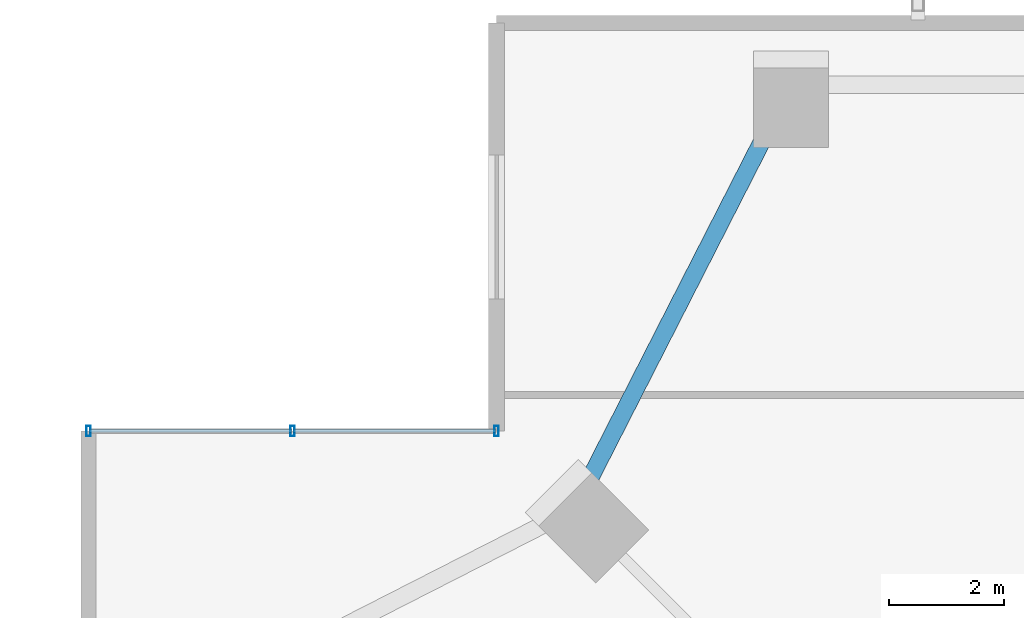
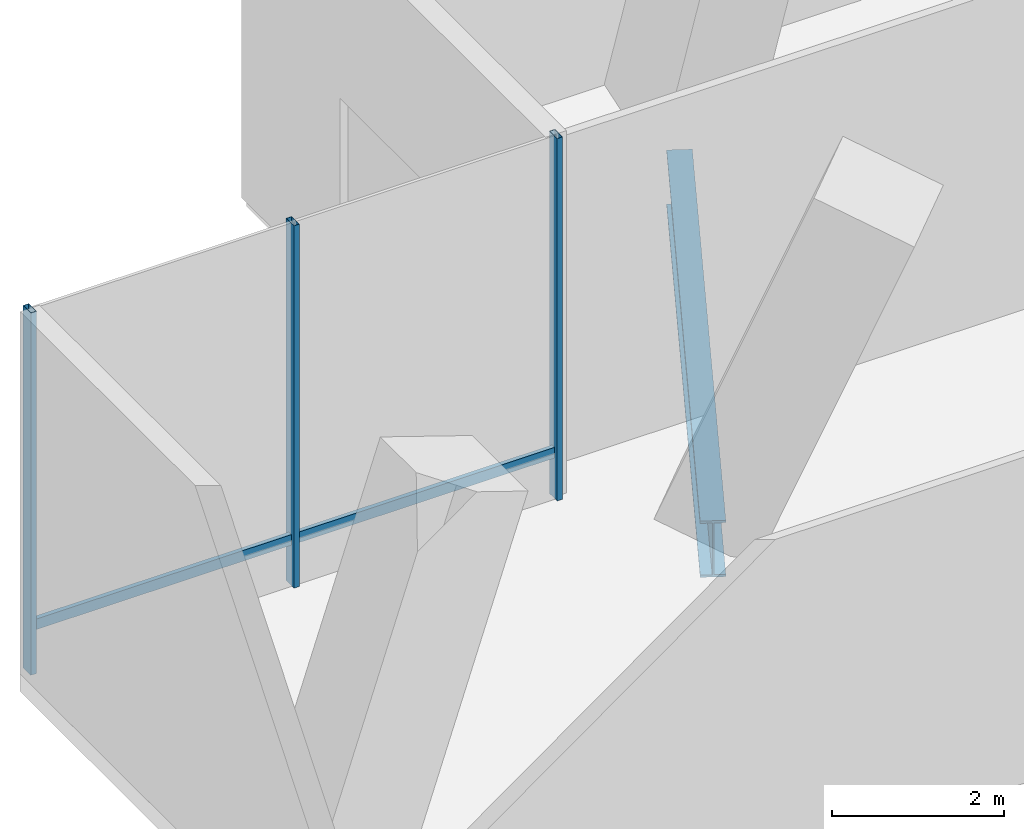
# One storey, part 16 of 28: 5 members, 1 beam, 1 element without a shape of its own.
"""IFC4 building model written with IfcOpenShell, lengths in metres."""

import ifcopenshell
import ifcopenshell.guid

model = None  # the IFC model being written
_history = None  # IfcOwnerHistory: only IFC2X3 demands one
_inside = {}  # id of a spatial element -> (the spatial element, [elements in it])
_under = {}  # id of a project, library or spatial element -> (it, [spatial elements below it])
_declared = {}  # id of a project -> (the project, [libraries it declares])
_typed = {}  # id of a type object -> (the type object, [elements of that type])
_made_of = {}  # id of a material, layer set ... -> (it, [elements and type objects made of it])


def new_model(schema):
    """Start an empty IFC model of exactly this schema.

    Asked for "IFC4X3", IfcOpenShell would pick the latest addendum, in which some entities
    have other attributes; the version numbers below select the first issue.
    IFC2X3 requires an IfcOwnerHistory on every rooted entity: one is made here for all.
    """
    global model, _history
    if schema == "IFC4X3":
        model = ifcopenshell.file(schema_version=(4, 3, 0, 0))
    else:
        model = ifcopenshell.file(schema=schema)
    _inside.clear()
    _under.clear()
    _declared.clear()
    _typed.clear()
    _made_of.clear()
    _history = None
    if model.schema == "IFC2X3":
        org = make("IfcOrganization", Name="unknown")
        user = make(
            "IfcPersonAndOrganization",
            ThePerson=make("IfcPerson", FamilyName="unknown"),
            TheOrganization=org,
        )
        app = make(
            "IfcApplication",
            ApplicationDeveloper=org,
            Version="unknown",
            ApplicationFullName="unknown",
            ApplicationIdentifier="unknown",
        )
        _history = make(
            "IfcOwnerHistory",
            OwningUser=user,
            OwningApplication=app,
            ChangeAction="ADDED",
            CreationDate=0,
        )
    return model


def make(cls, **values):
    """One entity of the class cls with the attributes given. An attribute that is None is left unset."""
    return model.create_entity(
        cls, **{name: value for name, value in values.items() if value is not None}
    )


def rooted(cls, **values):
    """An entity with a GlobalId (a new one), such as an element, a storey or a relation."""
    return make(cls, GlobalId=ifcopenshell.guid.new(), OwnerHistory=_history, **values)


def si_unit(unit_type, name, prefix=None):
    """IfcSIUnit, for example si_unit("LENGTHUNIT", "METRE", prefix="MILLI")."""
    return make("IfcSIUnit", UnitType=unit_type, Prefix=prefix, Name=name)


def assignment(units):
    """IfcUnitAssignment: the units of a project."""
    return None if units is None else make("IfcUnitAssignment", Units=units)


def point(xyz):
    """IfcCartesianPoint."""
    return None if xyz is None else make("IfcCartesianPoint", Coordinates=xyz)


def direction(xyz):
    """IfcDirection."""
    return None if xyz is None else make("IfcDirection", DirectionRatios=xyz)


def frame(location, z_axis=None, x_axis=None):
    """IfcAxis2Placement3D, a coordinate frame: its origin and axes. An axis left out is left unset."""
    return make(
        "IfcAxis2Placement3D",
        Location=point(location),
        Axis=direction(z_axis),
        RefDirection=direction(x_axis),
    )


def frame_2d(location, x_axis=None):
    """IfcAxis2Placement2D, a coordinate frame in the plane: its origin and x axis."""
    return make(
        "IfcAxis2Placement2D", Location=point(location), RefDirection=direction(x_axis)
    )


def origin():
    """The frame at (0, 0, 0) with its axes left unset."""
    return frame((0.0, 0.0, 0.0))


def origin_2d():
    """The frame at (0, 0) in the plane with its x axis left unset."""
    return frame_2d((0.0, 0.0))


def place(relative_to, where):
    """IfcLocalPlacement: puts the frame where relative to a parent placement (None: the world)."""
    return make(
        "IfcLocalPlacement", PlacementRelTo=relative_to, RelativePlacement=where
    )


def context(
    kind, dimensions, precision=None, world=None, true_north=None, identifier=None
):
    """IfcGeometricRepresentationContext, for example the 3D "Model" context."""
    return make(
        "IfcGeometricRepresentationContext",
        ContextIdentifier=identifier,
        ContextType=kind,
        CoordinateSpaceDimension=dimensions,
        Precision=precision,
        WorldCoordinateSystem=world,
        TrueNorth=true_north,
    )


def subcontext(parent, identifier, kind, view, scale=None):
    """IfcGeometricRepresentationSubContext, for example "Body" below "Model"."""
    return make(
        "IfcGeometricRepresentationSubContext",
        ContextIdentifier=identifier,
        ContextType=kind,
        ParentContext=parent,
        TargetScale=scale,
        TargetView=view,
    )


def project(units=None, contexts=None):
    """IfcProject with its units and contexts."""
    return rooted(
        "IfcProject",
        Name="project",
        RepresentationContexts=contexts,
        UnitsInContext=assignment(units),
    )


def spatial(cls, under=None, at=None, **own):
    """A site, building, storey or space (cls), placed at a placement, below another one or the project."""
    s = rooted(cls, ObjectPlacement=at, **own)
    if under is not None:
        _under.setdefault(under.id(), (under, []))[1].append(s)
    return s


def profile(cls, at=None, kind="AREA", **sizes):
    """A parametric profile (cls). Its sizes go by their IFC names, for example OverallWidth=200.0."""
    return make(cls, ProfileType=kind, Position=at, **sizes)


def hollow_rectangle(**sizes):
    """IfcRectangleHollowProfileDef."""
    return profile("IfcRectangleHollowProfileDef", **sizes)


def i_section(**sizes):
    """IfcIShapeProfileDef."""
    return profile("IfcIShapeProfileDef", **sizes)


def extrude(swept, where, along, depth):
    """IfcExtrudedAreaSolid: the profile swept, set in the frame where, extruded along a direction by depth."""
    return make(
        "IfcExtrudedAreaSolid",
        SweptArea=swept,
        Position=where,
        ExtrudedDirection=direction(along),
        Depth=depth,
    )


def shape(context_of_items, identifier, shape_type, items):
    """IfcShapeRepresentation: the items that make up one representation, for example the "Body"."""
    return make(
        "IfcShapeRepresentation",
        ContextOfItems=context_of_items,
        RepresentationIdentifier=identifier,
        RepresentationType=shape_type,
        Items=items,
    )


def material(Name=None, Category=None):
    """IfcMaterial."""
    return make("IfcMaterial", Name=Name, Category=Category)


def layer(
    of_material, thickness, ventilated=None, Name=None, Category=None, Priority=None
):
    """IfcMaterialLayer: one layer of a wall or slab, of a material (None: an air gap)."""
    return make(
        "IfcMaterialLayer",
        Material=of_material,
        LayerThickness=thickness,
        IsVentilated=ventilated,
        Name=Name,
        Category=Category,
        Priority=Priority,
    )


def layer_set(layers, Name=None):
    """IfcMaterialLayerSet."""
    return make("IfcMaterialLayerSet", MaterialLayers=layers, LayerSetName=Name)


def material_profile(
    of_material, cross_section, Name=None, Category=None, Priority=None
):
    """IfcMaterialProfile: a cross section and its material."""
    return make(
        "IfcMaterialProfile",
        Name=Name,
        Material=of_material,
        Profile=cross_section,
        Priority=Priority,
        Category=Category,
    )


def profile_set(profiles, Name=None, composite=None):
    """IfcMaterialProfileSet."""
    return make(
        "IfcMaterialProfileSet",
        Name=Name,
        MaterialProfiles=profiles,
        CompositeProfile=composite,
    )


def made_of(thing, what):
    """Note that an element or type object is made of a material, layer set ...; save() writes the relation."""
    if what is not None:
        _made_of.setdefault(what.id(), (what, []))[1].append(thing)
    return thing


def type_object(cls, material=None, **own):
    """A type object (cls), such as IfcWallType, which elements share."""
    return made_of(rooted(cls, **own), material)


def element(
    cls,
    number,
    at=None,
    inside=None,
    cuts=None,
    type_object=None,
    material=None,
    context=None,
    identifier="Body",
    shape_type=None,
    held_by="IfcProductDefinitionShape",
    body=None,
    shapes=None,
    **own,
):
    """One element of the class cls, such as IfcWall. Its Tag is "e" and its number.

    at: its placement. inside: the storey or other place that contains it. cuts: it is an
    opening in that element (IfcRelVoidsElement). A single representation is given by context,
    identifier, shape_type and body (its items); several are given by shapes. held_by: the class
    of the entity that holds the representations. save() writes the other relations.
    """
    e = rooted(cls, Tag="e%d" % number, ObjectPlacement=at, **own)
    if body is not None:
        shapes = [shape(context, identifier, shape_type, body)]
    if shapes is not None:
        e.Representation = make(held_by, Representations=shapes)
    if inside is not None:
        _inside.setdefault(inside.id(), (inside, []))[1].append(e)
    if cuts is not None:
        rooted(
            "IfcRelVoidsElement", RelatingBuildingElement=cuts, RelatedOpeningElement=e
        )
    if type_object is not None:
        _typed.setdefault(type_object.id(), (type_object, []))[1].append(e)
    return made_of(e, material)


def aggregate(whole, parts):
    """IfcRelAggregates: a whole, such as a stair, and the parts it consists of."""
    return rooted("IfcRelAggregates", RelatingObject=whole, RelatedObjects=parts)


def save(model, path):
    """Write the relations noted so far, then the file.

    IfcRelAggregates (storeys below a building ...), IfcRelContainedInSpatialStructure (elements
    in a storey), IfcRelDefinesByType, IfcRelAssociatesMaterial and IfcRelDeclares: one each for
    every whole, place, type object, material and project.
    """
    for whole, parts in _under.values():
        aggregate(whole, parts)
    for where, things in _inside.values():
        rooted(
            "IfcRelContainedInSpatialStructure",
            RelatedElements=things,
            RelatingStructure=where,
        )
    for kind, things in _typed.values():
        rooted("IfcRelDefinesByType", RelatedObjects=things, RelatingType=kind)
    for what, things in _made_of.values():
        rooted("IfcRelAssociatesMaterial", RelatedObjects=things, RelatingMaterial=what)
    for by, libraries in _declared.values():
        rooted("IfcRelDeclares", RelatingContext=by, RelatedDefinitions=libraries)
    model.write(path)


model = new_model("IFC4")

# Units and contexts
model_context = context("Model", 3, precision=1e-05, world=origin(), true_north=direction((0.0, 1.0)))
body_context = subcontext(model_context, "Body", "Model", "MODEL_VIEW")
ifc_project = project(units=[si_unit("LENGTHUNIT", "METRE"), si_unit("AREAUNIT", "SQUARE_METRE"), si_unit("VOLUMEUNIT", "CUBIC_METRE"), si_unit("PLANEANGLEUNIT", "RADIAN"), si_unit("MASSUNIT", "GRAM", prefix="KILO")], contexts=[model_context])

# Site, building, storey
site_placement = place(None, origin())
site = spatial("IfcSite", under=ifc_project, at=site_placement, CompositionType="ELEMENT")
building_placement = place(site_placement, origin())
building = spatial("IfcBuilding", under=site, at=building_placement, Name="Belovzor Exchange Tower", CompositionType="ELEMENT")
storey_placement = place(building_placement, frame((0.0, 0.0, 132.89990234375)))
storey = spatial("IfcBuildingStorey", under=building, at=storey_placement, Name="L32", CompositionType="ELEMENT", Elevation=132.89990234375)

# Beam
ifc_material_1 = material(Name="Steel S355", Category="steel")
ifc_material_profile_1 = material_profile(ifc_material_1, i_section(OverallWidth=0.300048828125, OverallDepth=0.800048828125, WebThickness=0.017578125, FlangeThickness=0.032958984375, at=origin_2d()))
ifc_profile_set_1 = profile_set([ifc_material_profile_1], Name="Steel S355")
beam_type = type_object("IfcBeamType", Name="Sky-Lobby Primary Girder HEB 800", PredefinedType="BEAM", material=ifc_profile_set_1)
beam_placement = place(storey_placement, frame((14.837890625, 53.382080078125, -0.64990234375), z_axis=(-0.454492894481, -0.890750362822, 0.0), x_axis=(0.890750362822, -0.454492894481, 0.0)))
element("IfcBeam", 1, at=beam_placement, inside=storey, type_object=beam_type, Name="SG-1 Sky-Lobby Primary Girder HEB 800", PredefinedType="BEAM", context=body_context, shape_type="SweptSolid", body=[
    extrude(i_section(OverallWidth=0.300048828125, OverallDepth=0.800048828125, WebThickness=0.017578125, FlangeThickness=0.032958984375, at=origin_2d()), origin(), (0.0, 0.0, 1.0), 7.53759765625),
])

# Curtain wall, members
ifc_material_2 = material(Name="Anodised Aluminium Framing", Category="aluminium")
ifc_layer = layer(ifc_material_2, 0.195068359375)
ifc_layer_set = layer_set([ifc_layer], Name="Anodised Aluminium Framing")
curtain_wall_type = type_object("IfcCurtainWallType", Name="Notched Re-Entrant Corner Unitised Curtain Wall", PredefinedType="NOTDEFINED", material=ifc_layer_set)
curtain_wall_placement = place(storey_placement, origin())
curtain_wall = element("IfcCurtainWall", 2, at=curtain_wall_placement, inside=storey, type_object=curtain_wall_type, Name="CW5 Notched Re-Entrant Corner Unitised Curtain Wall L32", PredefinedType="NOTDEFINED")
ifc_material_3 = material(Name="Steel S355", Category="steel")
ifc_material_profile_2 = material_profile(ifc_material_3, hollow_rectangle(XDim=0.074951171875, YDim=0.179931640625, WallThickness=0.0048828125, at=origin_2d()))
ifc_profile_set_2 = profile_set([ifc_material_profile_2], Name="Steel S355")
member_type_1 = type_object("IfcMemberType", Name="Thermally Broken Curtain Wall Mullion 180x75", PredefinedType="MULLION", material=ifc_profile_set_2)
member_1_placement = place(storey_placement, frame((2.830078125, 47.699951171875, 0.0), z_axis=(0.0, 0.0, 1.0), x_axis=(1.0, 0.0, 0.0)))
member_1 = element("IfcMember", 3, at=member_1_placement, type_object=member_type_1, Name="CW-M180 Curtain Wall Mullion 1", PredefinedType="MULLION", context=body_context, shape_type="SweptSolid", body=[
    extrude(hollow_rectangle(XDim=0.074951171875, YDim=0.179931640625, WallThickness=0.0048828125, at=origin_2d()), origin(), (0.0, 0.0, 1.0), 5.14501953125),
])
member_2_placement = place(storey_placement, frame((6.364990234375, 47.699951171875, 0.0), z_axis=(0.0, 0.0, 1.0), x_axis=(1.0, 0.0, 0.0)))
member_2 = element("IfcMember", 4, at=member_2_placement, type_object=member_type_1, Name="CW-M180 Curtain Wall Mullion 2", PredefinedType="MULLION", context=body_context, shape_type="SweptSolid", body=[
    extrude(hollow_rectangle(XDim=0.074951171875, YDim=0.179931640625, WallThickness=0.0048828125, at=origin_2d()), origin(), (0.0, 0.0, 1.0), 5.14501953125),
])
member_3_placement = place(storey_placement, frame((9.89990234375, 47.699951171875, 0.0), z_axis=(0.0, 0.0, 1.0), x_axis=(1.0, 0.0, 0.0)))
member_3 = element("IfcMember", 5, at=member_3_placement, type_object=member_type_1, Name="CW-M180 Curtain Wall Mullion 3", PredefinedType="MULLION", context=body_context, shape_type="SweptSolid", body=[
    extrude(hollow_rectangle(XDim=0.074951171875, YDim=0.179931640625, WallThickness=0.0048828125, at=origin_2d()), origin(), (0.0, 0.0, 1.0), 5.14501953125),
])
ifc_material_4 = material(Name="Steel S355", Category="steel")
ifc_material_profile_3 = material_profile(ifc_material_4, hollow_rectangle(XDim=0.06005859375, YDim=0.14990234375, WallThickness=0.00390625, at=origin_2d()))
ifc_profile_set_3 = profile_set([ifc_material_profile_3], Name="Steel S355")
member_type_2 = type_object("IfcMemberType", Name="Thermally Broken Curtain Wall Transom 150x60", PredefinedType="USERDEFINED", material=ifc_profile_set_3)
member_4_placement = place(storey_placement, frame((2.837890625, 47.699951171875, 0.650146484375), z_axis=(1.0, 0.0, 0.0), x_axis=(0.0, 1.0, 0.0)))
member_4 = element("IfcMember", 6, at=member_4_placement, type_object=member_type_2, Name="CW-T150 Curtain Wall Transom 1", ObjectType="TRANSOM", PredefinedType="USERDEFINED", context=body_context, shape_type="SweptSolid", body=[
    extrude(hollow_rectangle(XDim=0.06005859375, YDim=0.14990234375, WallThickness=0.00390625, at=origin_2d()), origin(), (0.0, 0.0, 1.0), 3.51904296875),
])
member_5_placement = place(storey_placement, frame((6.373046875, 47.699951171875, 0.650146484375), z_axis=(1.0, 0.0, 0.0), x_axis=(0.0, 1.0, 0.0)))
member_5 = element("IfcMember", 7, at=member_5_placement, type_object=member_type_2, Name="CW-T150 Curtain Wall Transom 2", ObjectType="TRANSOM", PredefinedType="USERDEFINED", context=body_context, shape_type="SweptSolid", body=[
    extrude(hollow_rectangle(XDim=0.06005859375, YDim=0.14990234375, WallThickness=0.00390625, at=origin_2d()), origin(), (0.0, 0.0, 1.0), 3.51904296875),
])
aggregate(curtain_wall, [member_1, member_2, member_3, member_4, member_5])

save(model, "model.ifc")
